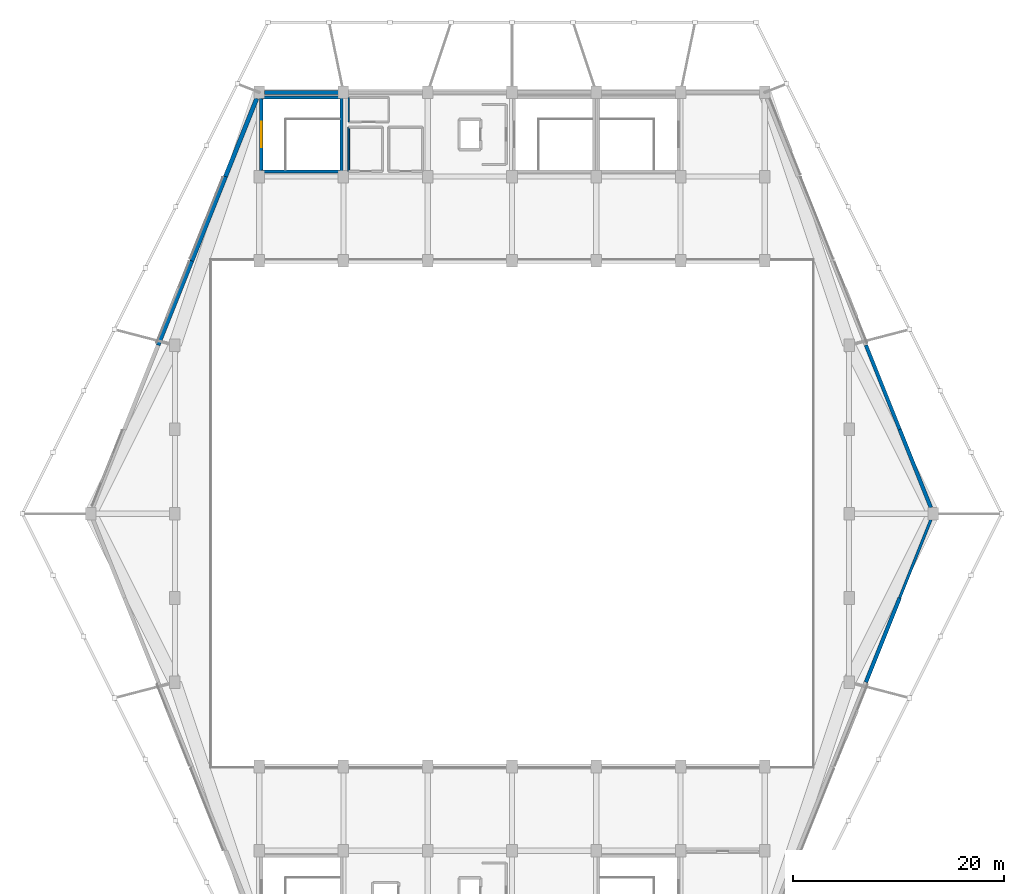
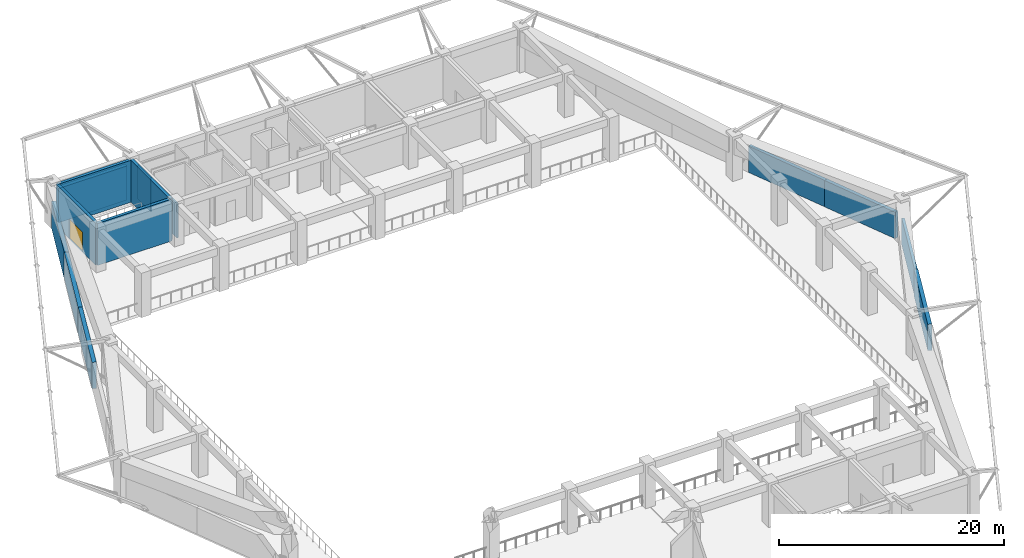
# One storey, part 6 of 9: 14 walls, 1 door, 1 opening.
"""IFC4 building model written with IfcOpenShell, lengths in metres."""

from ifc_helpers import new_model, si_unit, direction, frame, frame_2d, origin, place, context, subcontext, project, spatial, rectangle, extrude, material, layer, layer_set, type_object, element, fill, save


model = new_model("IFC4")

# Units and contexts
model_context = context("Model", 3, precision=1e-05, world=origin(), true_north=direction((0.0, 1.0)))
body_context = subcontext(model_context, "Body", "Model", "MODEL_VIEW")
ifc_project = project(units=[si_unit("LENGTHUNIT", "METRE"), si_unit("AREAUNIT", "SQUARE_METRE"), si_unit("VOLUMEUNIT", "CUBIC_METRE"), si_unit("PLANEANGLEUNIT", "RADIAN"), si_unit("MASSUNIT", "GRAM", prefix="KILO")], contexts=[model_context])

# Site, building, storey
site_placement = place(None, origin())
site = spatial("IfcSite", under=ifc_project, at=site_placement, CompositionType="ELEMENT")
building_placement = place(site_placement, origin())
building = spatial("IfcBuilding", under=site, at=building_placement, Name="Tazarka Park Arena", CompositionType="ELEMENT")
storey_placement = place(building_placement, frame((0.0, 0.0, 24.60009765625)))
storey = spatial("IfcBuildingStorey", under=building, at=storey_placement, Name="L05", CompositionType="ELEMENT", Elevation=24.60009765625)

# Wall
ifc_material_1 = material(Name="Concrete C40/50", Category="concrete")
ifc_layer_1 = layer(ifc_material_1, 0.300048828125, Name="Concrete C40/50")
ifc_layer_set_1 = layer_set([ifc_layer_1], Name="Concrete C40/50")
wall_type_1 = type_object("IfcWallType", Name="IWAL-CW-S1", PredefinedType="SHEAR", material=ifc_layer_set_1)
wall_1_placement = place(storey_placement, frame((71.800048828125, 96.5, 0.0), z_axis=(0.0, 0.0, 1.0), x_axis=(-1.0, 0.0, 0.0)))
element("IfcWall", 1, at=wall_1_placement, inside=storey, type_object=wall_type_1, Name="SCW-L05-ST14-S", PredefinedType="SHEAR", context=body_context, shape_type="SweptSolid", body=[
    extrude(rectangle(XDim=7.60009765625, YDim=0.300048828125, at=frame_2d((3.800048828125, 0.0))), origin(), (0.0, 0.0, 1.0), 4.5498046875),
])

# Wall, opening, door
wall_2_placement = place(storey_placement, frame((64.199951171875, 96.5, 0.0), z_axis=(0.0, 0.0, 1.0), x_axis=(0.0, 1.0, 0.0)))
wall_2 = element("IfcWall", 2, at=wall_2_placement, inside=storey, type_object=wall_type_1, Name="SCW-L05-ST14-W", PredefinedType="SHEAR", context=body_context, shape_type="SweptSolid", body=[
    extrude(rectangle(XDim=7.0, YDim=0.300048828125, at=frame_2d((3.5, 0.0))), origin(), (0.0, 0.0, 1.0), 4.5498046875),
])
opening_placement = place(wall_2_placement, frame((2.300048828125, 0.0, 0.0)))
opening = element("IfcOpeningElement", 3, at=opening_placement, cuts=wall_2, Name="Opening ID-05", PredefinedType="OPENING", context=body_context, shape_type="SweptSolid", body=[
    extrude(rectangle(XDim=2.39990234375, YDim=2.199951171875, at=frame_2d((1.199951171875, 1.10009765625))), frame((0.0, 0.16015625, 0.0), z_axis=(0.0, -1.0, 0.0), x_axis=(1.0, 0.0, 0.0)), (0.0, 0.0, 1.0), 0.320068359375),
])
ifc_material_2 = material(Name="Fire-rated powder-coated steel and acoustic timber", Category="steel")
door_type = type_object("IfcDoorType", Name="IDR-ID-05", OperationType="NOTDEFINED", PredefinedType="DOOR", material=ifc_material_2)
door_placement = place(opening_placement, frame((2.39990234375, 0.0, 0.0), z_axis=(0.0, 0.0, 1.0), x_axis=(-1.0, 0.0, 0.0)))
door = element("IfcDoor", 4, at=door_placement, inside=storey, type_object=door_type, Name="Exit Stair Door ST14-L05", OperationType="DOUBLE_DOOR_SINGLE_SWING", OverallHeight=2.199951171875, OverallWidth=2.39990234375, PredefinedType="DOOR", context=body_context, shape_type="SweptSolid", body=[
    extrude(rectangle(XDim=2.39990234375, YDim=2.199951171875, at=frame_2d((1.199951171875, 1.10009765625))), frame((0.0, 0.02490234375, 0.0), z_axis=(0.0, -1.0, 0.0), x_axis=(1.0, 0.0, 0.0)), (0.0, 0.0, 1.0), 0.050048828125),
])
fill(opening, door)

# Walls
wall_3_placement = place(storey_placement, frame((64.199951171875, 103.5, 0.0), z_axis=(0.0, 0.0, 1.0), x_axis=(1.0, 0.0, 0.0)))
element("IfcWall", 5, at=wall_3_placement, inside=storey, type_object=wall_type_1, Name="SCW-L05-ST14-N", PredefinedType="SHEAR", context=body_context, shape_type="SweptSolid", body=[
    extrude(rectangle(XDim=7.60009765625, YDim=0.300048828125, at=frame_2d((3.800048828125, 0.0))), origin(), (0.0, 0.0, 1.0), 4.5498046875),
])
wall_4_placement = place(storey_placement, frame((71.800048828125, 103.5, 0.0), z_axis=(0.0, 0.0, 1.0), x_axis=(0.0, -1.0, 0.0)))
element("IfcWall", 6, at=wall_4_placement, inside=storey, type_object=wall_type_1, Name="SCW-L05-ST14-E", PredefinedType="SHEAR", context=body_context, shape_type="SweptSolid", body=[
    extrude(rectangle(XDim=7.0, YDim=0.300048828125, at=frame_2d((3.5, 0.0))), origin(), (0.0, 0.0, 1.0), 4.5498046875),
])
ifc_material_3 = material(Name="Acoustic gypsum stud partition")
ifc_layer_2 = layer(ifc_material_3, 0.135009765625, Name="Acoustic gypsum stud partition")
ifc_layer_set_2 = layer_set([ifc_layer_2], Name="Acoustic gypsum stud partition")
wall_type_2 = type_object("IfcWallType", Name="IWAL-PT-10", PredefinedType="PARTITIONING", material=ifc_layer_set_2)
wall_5_placement = place(storey_placement, frame((72.5, 103.5, 0.0), z_axis=(0.0, 0.0, 1.0), x_axis=(0.0, -1.0, 0.0)))
element("IfcWall", 7, at=wall_5_placement, inside=storey, type_object=wall_type_2, Name="WCE-L05-146", PredefinedType="PARTITIONING", context=body_context, shape_type="SweptSolid", body=[
    extrude(rectangle(XDim=2.300048828125, YDim=0.135009765625, at=frame_2d((1.14990234375, 0.0))), origin(), (0.0, 0.0, 1.0), 3.7099609375),
])
ifc_material_4 = material(Name="Wet-zone tiled blockwork wall", Category="masonry")
ifc_layer_3 = layer(ifc_material_4, 0.175048828125, Name="Wet-zone tiled blockwork wall")
ifc_layer_set_3 = layer_set([ifc_layer_3], Name="Wet-zone tiled blockwork wall")
wall_type_3 = type_object("IfcWallType", Name="IWAL-PT-18", PredefinedType="PARTITIONING", material=ifc_layer_set_3)
wall_6_placement = place(storey_placement, frame((72.5, 100.699951171875, 0.0), z_axis=(0.0, 0.0, 1.0), x_axis=(0.0, -1.0, 0.0)))
element("IfcWall", 8, at=wall_6_placement, inside=storey, type_object=wall_type_3, Name="WCE-L05-138", PredefinedType="PARTITIONING", context=body_context, shape_type="SweptSolid", body=[
    extrude(rectangle(XDim=4.199951171875, YDim=0.175048828125, at=frame_2d((2.10009765625, 0.0))), origin(), (0.0, 0.0, 1.0), 3.7099609375),
])
ifc_material_5 = material(Name="Concrete C40/50", Category="concrete")
ifc_layer_4 = layer(ifc_material_5, 0.340087890625, Name="Concrete C40/50")
ifc_layer_set_4 = layer_set([ifc_layer_4], Name="Concrete C40/50")
wall_type_4 = type_object("IfcWallType", Name="WAL-EW-03", PredefinedType="SOLIDWALL", material=ifc_layer_set_4)
wall_7_placement = place(storey_placement, frame((121.60009765625, 80.0, 0.0), z_axis=(0.0, 0.0, 1.0), x_axis=(0.371385791018, -0.928478645005, 0.0)))
element("IfcWall", 9, at=wall_7_placement, inside=storey, type_object=wall_type_4, Name="EW-L05-0370", PredefinedType="SOLIDWALL", context=body_context, shape_type="SweptSolid", body=[
    extrude(rectangle(XDim=8.6162109375, YDim=0.340087890625, at=frame_2d((4.30810546875, 0.0))), origin(), (0.0, 0.0, 1.0), 2.85986328125),
])
ifc_material_6 = material(Name="Concrete C40/50", Category="concrete")
ifc_layer_5 = layer(ifc_material_6, 0.360107421875, Name="Concrete C40/50")
ifc_layer_set_5 = layer_set([ifc_layer_5], Name="Concrete C40/50")
wall_type_5 = type_object("IfcWallType", Name="WAL-EW-04", PredefinedType="SOLIDWALL", material=ifc_layer_set_5)
wall_8_placement = place(storey_placement, frame((124.800048828125, 72.0, 0.0), z_axis=(0.0, 0.0, 1.0), x_axis=(0.371395943584, -0.928474583976, 0.0)))
element("IfcWall", 10, at=wall_8_placement, inside=storey, type_object=wall_type_5, Name="EW-L05-0371", PredefinedType="SOLIDWALL", context=body_context, shape_type="SweptSolid", body=[
    extrude(rectangle(XDim=7.991455078125, YDim=0.360107421875, at=frame_2d((3.99560546875, 0.0))), origin(), (0.0, 0.0, 1.0), 2.85986328125),
])
ifc_material_7 = material(Name="Concrete C50/60", Category="concrete")
ifc_layer_6 = layer(ifc_material_7, 0.3798828125, Name="Concrete C50/60")
ifc_layer_set_6 = layer_set([ifc_layer_6], Name="Concrete C50/60")
wall_type_6 = type_object("IfcWallType", Name="WAL-EW-05", PredefinedType="SOLIDWALL", material=ifc_layer_set_6)
wall_9_placement = place(storey_placement, frame((64.47998046875, 104.0, 0.0), z_axis=(0.0, 0.0, 1.0), x_axis=(1.0, 0.0, 0.0)))
element("IfcWall", 11, at=wall_9_placement, inside=storey, type_object=wall_type_6, Name="EW-L05-0372", PredefinedType="SOLIDWALL", context=body_context, shape_type="SweptSolid", body=[
    extrude(rectangle(XDim=7.0400390625, YDim=0.3798828125, at=frame_2d((3.52001953125, 0.0))), origin(), (0.0, 0.0, 1.0), 3.7099609375),
])
ifc_material_8 = material(Name="Precast concrete C40/50", Category="concrete")
ifc_layer_7 = layer(ifc_material_8, 0.27001953125, Name="Precast concrete C40/50")
ifc_layer_set_7 = layer_set([ifc_layer_7], Name="Precast concrete C40/50")
wall_type_7 = type_object("IfcWallType", Name="WAL-EW-11", PredefinedType="SOLIDWALL", material=ifc_layer_set_7)
wall_10_placement = place(storey_placement, frame((127.76806640625, 63.419921875, 0.0), z_axis=(0.0, 0.0, 1.0), x_axis=(-0.371395943584, -0.928474583976, 0.0)))
element("IfcWall", 12, at=wall_10_placement, inside=storey, type_object=wall_type_7, Name="EW-L05-0362", PredefinedType="SOLIDWALL", context=body_context, shape_type="SweptSolid", body=[
    extrude(rectangle(XDim=7.991455078125, YDim=0.27001953125, at=frame_2d((3.99560546875, 0.0))), origin(), (0.0, 0.0, 1.0), 2.85986328125),
])
ifc_material_9 = material(Name="Concrete C40/50", Category="concrete")
ifc_layer_8 = layer(ifc_material_9, 0.3701171875, Name="Concrete C40/50")
ifc_layer_set_8 = layer_set([ifc_layer_8], Name="Concrete C40/50")
wall_type_8 = type_object("IfcWallType", Name="WAL-EW-12", PredefinedType="SOLIDWALL", material=ifc_layer_set_8)
wall_11_placement = place(storey_placement, frame((124.800048828125, 56.0, 0.0), z_axis=(0.0, 0.0, 1.0), x_axis=(-0.371385791018, -0.928478645005, 0.0)))
element("IfcWall", 13, at=wall_11_placement, inside=storey, type_object=wall_type_8, Name="EW-L05-0363", PredefinedType="SOLIDWALL", context=body_context, shape_type="SweptSolid", body=[
    extrude(rectangle(XDim=8.6162109375, YDim=0.3701171875, at=frame_2d((4.30810546875, 0.0))), origin(), (0.0, 0.0, 1.0), 2.85986328125),
])
ifc_material_10 = material(Name="Concrete C50/60", Category="concrete")
ifc_layer_9 = layer(ifc_material_10, 0.389892578125, Name="Concrete C50/60")
ifc_layer_set_9 = layer_set([ifc_layer_9], Name="Concrete C50/60")
wall_type_9 = type_object("IfcWallType", Name="WAL-EW-13", PredefinedType="SOLIDWALL", material=ifc_layer_set_9)
wall_12_placement = place(storey_placement, frame((54.39990234375, 80.0, 0.0), z_axis=(0.0, 0.0, 1.0), x_axis=(0.37141021739, 0.928468874232, 0.0)))
element("IfcWall", 14, at=wall_12_placement, inside=storey, type_object=wall_type_9, Name="EW-L05-0380", PredefinedType="SOLIDWALL", context=body_context, shape_type="SweptSolid", body=[
    extrude(rectangle(XDim=8.616455078125, YDim=0.389892578125, at=frame_2d((4.30810546875, 0.0))), origin(), (0.0, 0.0, 1.0), 2.85986328125),
])
ifc_material_11 = material(Name="Concrete C50/60", Category="concrete")
ifc_layer_10 = layer(ifc_material_11, 0.409912109375, Name="Concrete C50/60")
ifc_layer_set_10 = layer_set([ifc_layer_10], Name="Concrete C50/60")
wall_type_10 = type_object("IfcWallType", Name="WAL-EW-14", PredefinedType="SOLIDWALL", material=ifc_layer_set_10)
wall_13_placement = place(storey_placement, frame((57.60009765625, 88.0, 0.0), z_axis=(0.0, 0.0, 1.0), x_axis=(0.371385791018, 0.928478645005, 0.0)))
element("IfcWall", 15, at=wall_13_placement, inside=storey, type_object=wall_type_10, Name="EW-L05-0381", PredefinedType="SOLIDWALL", context=body_context, shape_type="SweptSolid", body=[
    extrude(rectangle(XDim=8.6162109375, YDim=0.409912109375, at=frame_2d((4.30810546875, 0.0))), origin(), (0.0, 0.0, 1.0), 2.85986328125),
])
ifc_material_12 = material(Name="Concrete C50/60", Category="concrete")
ifc_layer_11 = layer(ifc_material_12, 0.419921875, Name="Concrete C50/60")
ifc_layer_set_11 = layer_set([ifc_layer_11], Name="Concrete C50/60")
wall_type_11 = type_object("IfcWallType", Name="WAL-EW-15", PredefinedType="SOLIDWALL", material=ifc_layer_set_11)
wall_14_placement = place(storey_placement, frame((60.800048828125, 96.0, 0.0), z_axis=(0.0, 0.0, 1.0), x_axis=(0.371395943584, 0.928474583976, 0.0)))
element("IfcWall", 16, at=wall_14_placement, inside=storey, type_object=wall_type_11, Name="EW-L05-0382", PredefinedType="SOLIDWALL", context=body_context, shape_type="SweptSolid", body=[
    extrude(rectangle(XDim=7.991455078125, YDim=0.419921875, at=frame_2d((3.99560546875, 0.0))), origin(), (0.0, 0.0, 1.0), 2.85986328125),
])

save(model, "model.ifc")
